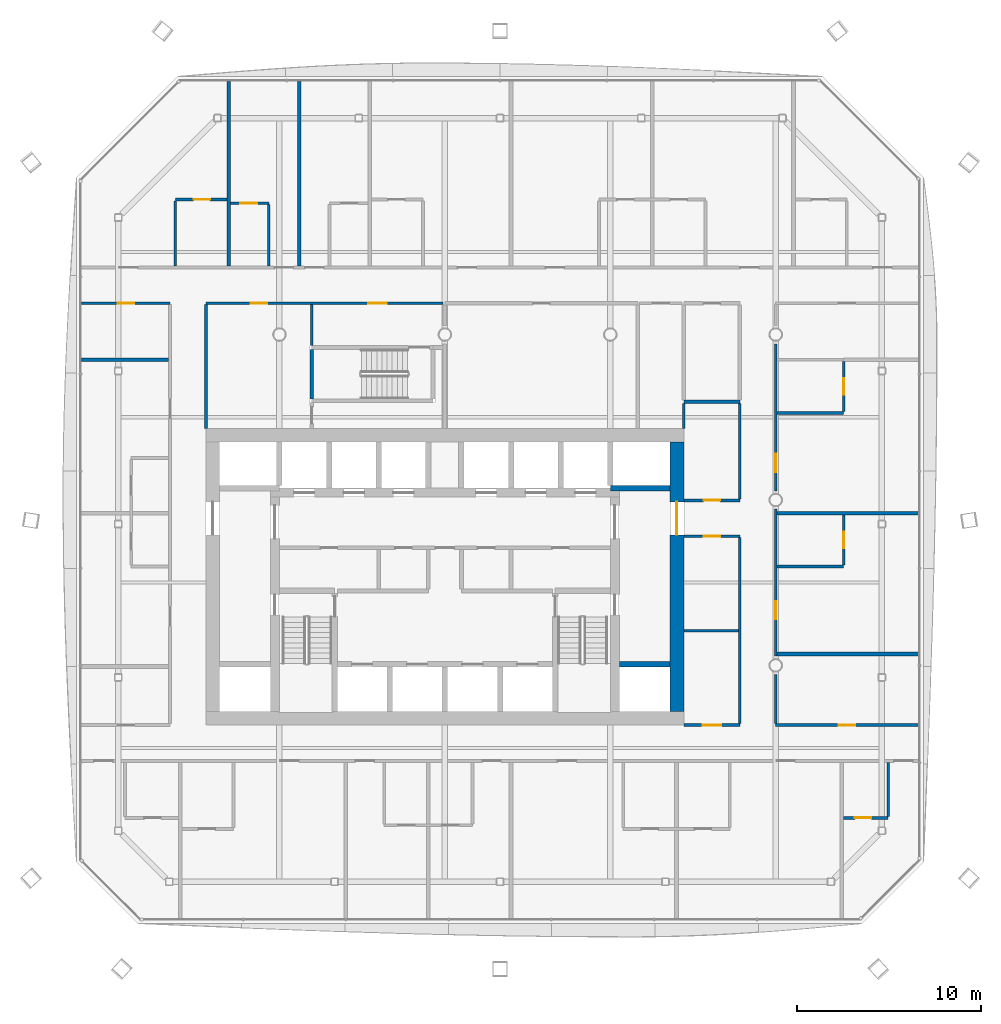
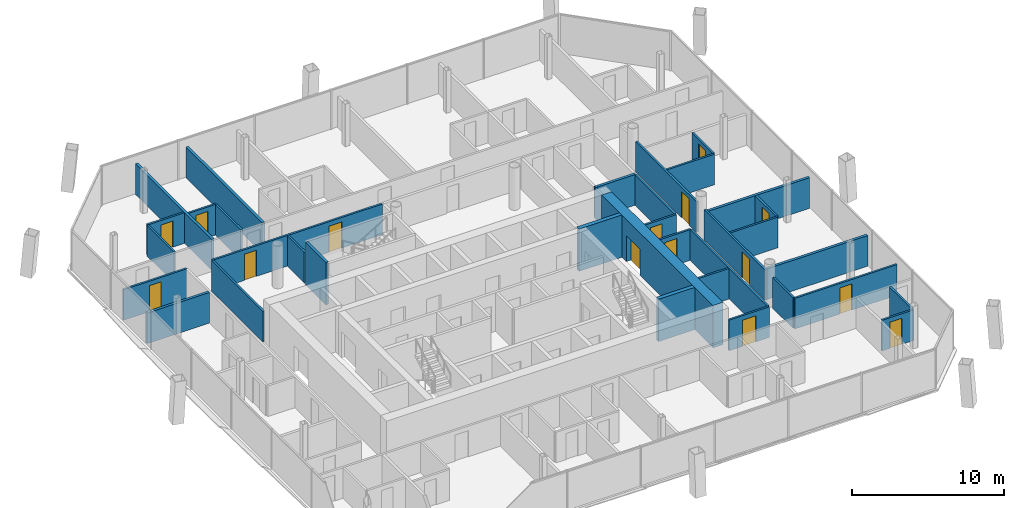
# One storey, part 14 of 21: 35 walls, 15 doors, 15 openings.
"""IFC4 building model written with IfcOpenShell, lengths in metres."""

from ifc_helpers import new_model, si_unit, direction, frame, frame_2d, origin, place, context, subcontext, project, spatial, rectangle, extrude, material, layer, layer_set, type_object, element, fill, save


model = new_model("IFC4")

# Units and contexts
model_context = context("Model", 3, precision=1e-05, world=origin(), true_north=direction((0.0, 1.0)))
body_context = subcontext(model_context, "Body", "Model", "MODEL_VIEW")
ifc_project = project(units=[si_unit("LENGTHUNIT", "METRE"), si_unit("AREAUNIT", "SQUARE_METRE"), si_unit("VOLUMEUNIT", "CUBIC_METRE"), si_unit("PLANEANGLEUNIT", "RADIAN"), si_unit("MASSUNIT", "GRAM", prefix="KILO")], contexts=[model_context])

# Site, building, storey
site_placement = place(None, origin())
site = spatial("IfcSite", under=ifc_project, at=site_placement, CompositionType="ELEMENT")
building_placement = place(site_placement, origin())
building = spatial("IfcBuilding", under=site, at=building_placement, Name="Tskaro Facet Tower", CompositionType="ELEMENT")
storey_placement = place(building_placement, frame((0.0, 0.0, 138.5)))
storey = spatial("IfcBuildingStorey", under=building, at=storey_placement, Name="L33", CompositionType="ELEMENT", Elevation=138.5)

# Walls
ifc_material_1 = material(Name="Concrete C60/75", Category="concrete")
ifc_layer_1 = layer(ifc_material_1, 0.300048828125, Name="Concrete C60/75")
ifc_layer_set_1 = layer_set([ifc_layer_1], Name="Concrete C60/75")
wall_type_1 = type_object("IfcWallType", Name="CORE-SHAFT", PredefinedType="SHEAR", material=ifc_layer_set_1)
wall_1_placement = place(storey_placement, frame((9.5, -8.949951171875, 0.0), z_axis=(0.0, 0.0, 1.0), x_axis=(1.0, 0.0, 0.0)))
element("IfcWall", 1, at=wall_1_placement, inside=storey, type_object=wall_type_1, Name="Shaft wall W013", PredefinedType="SHEAR", context=body_context, shape_type="SweptSolid", body=[
    extrude(rectangle(XDim=2.75, YDim=0.300048828125, at=frame_2d((1.375, 0.0))), origin(), (0.0, 0.0, 1.0), 3.39990234375),
])
wall_2_placement = place(storey_placement, frame((12.25, 0.64990234375, 0.0), z_axis=(0.0, 0.0, 1.0), x_axis=(-1.0, 0.0, 0.0)))
element("IfcWall", 2, at=wall_2_placement, inside=storey, type_object=wall_type_1, Name="Shaft wall W028", PredefinedType="SHEAR", context=body_context, shape_type="SweptSolid", body=[
    extrude(rectangle(XDim=3.25, YDim=0.300048828125, at=frame_2d((1.625, 0.0))), origin(), (0.0, 0.0, 1.0), 3.39990234375),
])

# Wall, opening, door
ifc_material_2 = material(Name="Concrete C50/60", Category="concrete")
ifc_layer_2 = layer(ifc_material_2, 0.75, Name="Concrete C50/60")
ifc_layer_set_2 = layer_set([ifc_layer_2], Name="Concrete C50/60")
wall_type_2 = type_object("IfcWallType", Name="Core wall 750", PredefinedType="SHEAR", material=ifc_layer_set_2)
wall_3_placement = place(storey_placement, frame((12.625, -11.5, 0.0), z_axis=(0.0, 0.0, 1.0), x_axis=(0.0, 1.0, 0.0)))
wall_3 = element("IfcWall", 3, at=wall_3_placement, inside=storey, type_object=wall_type_2, Name="Core wall CW-Z2E", PredefinedType="SHEAR", context=body_context, shape_type="SweptSolid", body=[
    extrude(rectangle(XDim=14.64990234375, YDim=0.75, at=frame_2d((7.324951171875, 0.0))), origin(), (0.0, 0.0, 1.0), 3.39990234375),
])
opening_1_placement = place(wall_3_placement, frame((9.60009765625, 0.0, 0.0)))
opening_1 = element("IfcOpeningElement", 4, at=opening_1_placement, cuts=wall_3, Name="Opening T9-D32", PredefinedType="OPENING", context=body_context, shape_type="SweptSolid", body=[
    extrude(rectangle(XDim=1.800048828125, YDim=2.10009765625, at=frame_2d((0.89990234375, 1.050048828125))), frame((0.0, 0.385009765625, 0.0), z_axis=(0.0, -1.0, 0.0), x_axis=(1.0, 0.0, 0.0)), (0.0, 0.0, 1.0), 0.77001953125),
])
ifc_material_3 = material(Name="Steel", Category="steel")
door_type_1 = type_object("IfcDoorType", Name="D-CORE-PAIR", OperationType="NOTDEFINED", PredefinedType="DOOR", material=ifc_material_3)
door_1_placement = place(opening_1_placement, origin())
door_1 = element("IfcDoor", 5, at=door_1_placement, inside=storey, type_object=door_type_1, Name="Door T9-D32", OperationType="DOUBLE_DOOR_SINGLE_SWING", OverallHeight=2.10009765625, OverallWidth=1.800048828125, PredefinedType="DOOR", context=body_context, shape_type="SweptSolid", body=[
    extrude(rectangle(XDim=1.800048828125, YDim=2.10009765625, at=frame_2d((0.89990234375, 1.050048828125))), frame((0.0, 0.02490234375, 0.0), z_axis=(0.0, -1.0, 0.0), x_axis=(1.0, 0.0, 0.0)), (0.0, 0.0, 1.0), 0.050048828125),
])
fill(opening_1, door_1)

ifc_material_4 = material(Name="Gypsum board on steel studs", Category="steel")
ifc_layer_3 = layer(ifc_material_4, 0.14990234375, Name="Gypsum board on steel studs")
ifc_layer_set_3 = layer_set([ifc_layer_3], Name="Gypsum board on steel studs")
wall_type_3 = type_object("IfcWallType", Name="PART-CORR", PredefinedType="PARTITIONING", material=ifc_layer_set_3)
wall_4_placement = place(storey_placement, frame((21.698974609375, -17.300048828125, 0.0), z_axis=(0.0, 0.0, 1.0), x_axis=(1.0, 0.0, 0.0)))
wall_4 = element("IfcWall", 6, at=wall_4_placement, inside=storey, type_object=wall_type_3, Name="Corridor wall W005", PredefinedType="PARTITIONING", context=body_context, shape_type="SweptSolid", body=[
    extrude(rectangle(XDim=2.419921875, YDim=0.14990234375, at=frame_2d((1.2099609375, 0.0))), origin(), (0.0, 0.0, 1.0), 2.4599609375),
])
opening_2_placement = place(wall_4_placement, frame((0.610107421875, 0.0, 0.0)))
opening_2 = element("IfcOpeningElement", 7, at=opening_2_placement, cuts=wall_4, Name="Opening T9-D07", PredefinedType="OPENING", context=body_context, shape_type="SweptSolid", body=[
    extrude(rectangle(XDim=0.89990234375, YDim=2.10009765625, at=frame_2d((0.449951171875, 1.050048828125))), frame((0.0, 0.0849609375, 0.0), z_axis=(0.0, -1.0, 0.0), x_axis=(1.0, 0.0, 0.0)), (0.0, 0.0, 1.0), 0.169921875),
])
ifc_material_5 = material(Name="Timber", Category="wood")
door_type_2 = type_object("IfcDoorType", Name="D-ROOM", OperationType="NOTDEFINED", PredefinedType="DOOR", material=ifc_material_5)
door_2_placement = place(opening_2_placement, origin())
door_2 = element("IfcDoor", 8, at=door_2_placement, inside=storey, type_object=door_type_2, Name="Door T9-D07", OperationType="SINGLE_SWING_LEFT", OverallHeight=2.10009765625, OverallWidth=0.89990234375, PredefinedType="DOOR", context=body_context, shape_type="SweptSolid", body=[
    extrude(rectangle(XDim=0.89990234375, YDim=2.10009765625, at=frame_2d((0.449951171875, 1.050048828125))), frame((0.0, 0.02490234375, 0.0), z_axis=(0.0, -1.0, 0.0), x_axis=(1.0, 0.0, 0.0)), (0.0, 0.0, 1.0), 0.050048828125),
])
fill(opening_2, door_2)

wall_5_placement = place(storey_placement, frame((13.0, -12.25, 0.0), z_axis=(0.0, 0.0, 1.0), x_axis=(1.0, 0.0, 0.0)))
wall_5 = element("IfcWall", 9, at=wall_5_placement, inside=storey, type_object=wall_type_3, Name="Corridor wall W008", PredefinedType="PARTITIONING", context=body_context, shape_type="SweptSolid", body=[
    extrude(rectangle(XDim=3.050048828125, YDim=0.14990234375, at=frame_2d((1.52490234375, 0.0))), origin(), (0.0, 0.0, 1.0), 2.4599609375),
])
opening_3_placement = place(wall_5_placement, frame((1.02490234375, 0.0, 0.0)))
opening_3 = element("IfcOpeningElement", 10, at=opening_3_placement, cuts=wall_5, Name="Opening T9-D16", PredefinedType="OPENING", context=body_context, shape_type="SweptSolid", body=[
    extrude(rectangle(XDim=1.0, YDim=2.10009765625, at=frame_2d((0.5, 1.050048828125))), frame((0.0, 0.0849609375, 0.0), z_axis=(0.0, -1.0, 0.0), x_axis=(1.0, 0.0, 0.0)), (0.0, 0.0, 1.0), 0.169921875),
])
door_type_3 = type_object("IfcDoorType", Name="D-ROOM-WIDE", OperationType="NOTDEFINED", PredefinedType="DOOR", material=ifc_material_5)
door_3_placement = place(opening_3_placement, origin())
door_3 = element("IfcDoor", 11, at=door_3_placement, inside=storey, type_object=door_type_3, Name="Door T9-D16", OperationType="SINGLE_SWING_LEFT", OverallHeight=2.10009765625, OverallWidth=1.0, PredefinedType="DOOR", context=body_context, shape_type="SweptSolid", body=[
    extrude(rectangle(XDim=1.0, YDim=2.10009765625, at=frame_2d((0.5, 1.050048828125))), frame((0.0, 0.02490234375, 0.0), z_axis=(0.0, -1.0, 0.0), x_axis=(1.0, 0.0, 0.0)), (0.0, 0.0, 1.0), 0.050048828125),
])
fill(opening_3, door_3)

wall_6_placement = place(storey_placement, frame((18.0, -12.25, 0.0), z_axis=(0.0, 0.0, 1.0), x_axis=(1.0, 0.0, 0.0)))
wall_6 = element("IfcWall", 12, at=wall_6_placement, inside=storey, type_object=wall_type_3, Name="Corridor wall W009", PredefinedType="PARTITIONING", context=body_context, shape_type="SweptSolid", body=[
    extrude(rectangle(XDim=7.77001953125, YDim=0.14990234375, at=frame_2d((3.885009765625, 0.0))), origin(), (0.0, 0.0, 1.0), 2.4599609375),
])
opening_4_placement = place(wall_6_placement, frame((3.43505859375, 0.0, 0.0)))
opening_4 = element("IfcOpeningElement", 13, at=opening_4_placement, cuts=wall_6, Name="Opening T9-D17", PredefinedType="OPENING", context=body_context, shape_type="SweptSolid", body=[
    extrude(rectangle(XDim=0.89990234375, YDim=2.10009765625, at=frame_2d((0.449951171875, 1.050048828125))), frame((0.0, 0.0849609375, 0.0), z_axis=(0.0, -1.0, 0.0), x_axis=(1.0, 0.0, 0.0)), (0.0, 0.0, 1.0), 0.169921875),
])
door_4_placement = place(opening_4_placement, origin())
door_4 = element("IfcDoor", 14, at=door_4_placement, inside=storey, type_object=door_type_2, Name="Door T9-D17", OperationType="SINGLE_SWING_LEFT", OverallHeight=2.10009765625, OverallWidth=0.89990234375, PredefinedType="DOOR", context=body_context, shape_type="SweptSolid", body=[
    extrude(rectangle(XDim=0.89990234375, YDim=2.10009765625, at=frame_2d((0.449951171875, 1.050048828125))), frame((0.0, 0.02490234375, 0.0), z_axis=(0.0, -1.0, 0.0), x_axis=(1.0, 0.0, 0.0)), (0.0, 0.0, 1.0), 0.050048828125),
])
fill(opening_4, door_4)

# Walls
wall_7_placement = place(storey_placement, frame((13.0, -7.112060546875, 0.0), z_axis=(0.0, 0.0, 1.0), x_axis=(1.0, 0.0, 0.0)))
element("IfcWall", 15, at=wall_7_placement, inside=storey, type_object=wall_type_3, Name="Corridor wall W015", PredefinedType="PARTITIONING", context=body_context, shape_type="SweptSolid", body=[
    extrude(rectangle(XDim=2.97509765625, YDim=0.14990234375, at=frame_2d((1.487548828125, 0.0))), origin(), (0.0, 0.0, 1.0), 2.4599609375),
])
wall_8_placement = place(storey_placement, frame((18.074951171875, -3.615966796875, 0.0), z_axis=(0.0, 0.0, 1.0), x_axis=(1.0, 0.0, 0.0)))
element("IfcWall", 16, at=wall_8_placement, inside=storey, type_object=wall_type_3, Name="Corridor wall W020", PredefinedType="PARTITIONING", context=body_context, shape_type="SweptSolid", body=[
    extrude(rectangle(XDim=3.625, YDim=0.14990234375, at=frame_2d((1.8125, 0.0))), origin(), (0.0, 0.0, 1.0), 2.4599609375),
])

# Wall, opening, door
wall_9_placement = place(storey_placement, frame((16.050048828125, -1.97509765625, 0.0), z_axis=(0.0, 0.0, 1.0), x_axis=(-1.0, 0.0, 0.0)))
wall_9 = element("IfcWall", 17, at=wall_9_placement, inside=storey, type_object=wall_type_3, Name="Corridor wall W023", PredefinedType="PARTITIONING", context=body_context, shape_type="SweptSolid", body=[
    extrude(rectangle(XDim=3.050048828125, YDim=0.14990234375, at=frame_2d((1.52490234375, 0.0))), origin(), (0.0, 0.0, 1.0), 2.4599609375),
])
opening_5_placement = place(wall_9_placement, frame((1.074951171875, 0.0, 0.0)))
opening_5 = element("IfcOpeningElement", 18, at=opening_5_placement, cuts=wall_9, Name="Opening T9-D28", PredefinedType="OPENING", context=body_context, shape_type="SweptSolid", body=[
    extrude(rectangle(XDim=0.89990234375, YDim=2.10009765625, at=frame_2d((0.449951171875, 1.050048828125))), frame((0.0, 0.0849609375, 0.0), z_axis=(0.0, -1.0, 0.0), x_axis=(1.0, 0.0, 0.0)), (0.0, 0.0, 1.0), 0.169921875),
])
door_5_placement = place(opening_5_placement, origin())
door_5 = element("IfcDoor", 19, at=door_5_placement, inside=storey, type_object=door_type_2, Name="Door T9-D28", OperationType="SINGLE_SWING_RIGHT", OverallHeight=2.10009765625, OverallWidth=0.89990234375, PredefinedType="DOOR", context=body_context, shape_type="SweptSolid", body=[
    extrude(rectangle(XDim=0.89990234375, YDim=2.10009765625, at=frame_2d((0.449951171875, 1.050048828125))), frame((0.0, 0.02490234375, 0.0), z_axis=(0.0, -1.0, 0.0), x_axis=(1.0, 0.0, 0.0)), (0.0, 0.0, 1.0), 0.050048828125),
])
fill(opening_5, door_5)

wall_10_placement = place(storey_placement, frame((13.0, -0.02490234375, 0.0), z_axis=(0.0, 0.0, 1.0), x_axis=(1.0, 0.0, 0.0)))
wall_10 = element("IfcWall", 20, at=wall_10_placement, inside=storey, type_object=wall_type_3, Name="Corridor wall W026", PredefinedType="PARTITIONING", context=body_context, shape_type="SweptSolid", body=[
    extrude(rectangle(XDim=3.050048828125, YDim=0.14990234375, at=frame_2d((1.52490234375, 0.0))), origin(), (0.0, 0.0, 1.0), 2.4599609375),
])
opening_6_placement = place(wall_10_placement, frame((1.074951171875, 0.0, 0.0)))
opening_6 = element("IfcOpeningElement", 21, at=opening_6_placement, cuts=wall_10, Name="Opening T9-D33", PredefinedType="OPENING", context=body_context, shape_type="SweptSolid", body=[
    extrude(rectangle(XDim=0.89990234375, YDim=2.10009765625, at=frame_2d((0.449951171875, 1.050048828125))), frame((0.0, 0.0849609375, 0.0), z_axis=(0.0, -1.0, 0.0), x_axis=(1.0, 0.0, 0.0)), (0.0, 0.0, 1.0), 0.169921875),
])
door_6_placement = place(opening_6_placement, origin())
door_6 = element("IfcDoor", 22, at=door_6_placement, inside=storey, type_object=door_type_2, Name="Door T9-D33", OperationType="SINGLE_SWING_LEFT", OverallHeight=2.10009765625, OverallWidth=0.89990234375, PredefinedType="DOOR", context=body_context, shape_type="SweptSolid", body=[
    extrude(rectangle(XDim=0.89990234375, YDim=2.10009765625, at=frame_2d((0.449951171875, 1.050048828125))), frame((0.0, 0.02490234375, 0.0), z_axis=(0.0, -1.0, 0.0), x_axis=(1.0, 0.0, 0.0)), (0.0, 0.0, 1.0), 0.050048828125),
])
fill(opening_6, door_6)

# Wall
wall_11_placement = place(storey_placement, frame((18.074951171875, 4.72607421875, 0.0), z_axis=(0.0, 0.0, 1.0), x_axis=(1.0, 0.0, 0.0)))
element("IfcWall", 23, at=wall_11_placement, inside=storey, type_object=wall_type_3, Name="Corridor wall W030", PredefinedType="PARTITIONING", context=body_context, shape_type="SweptSolid", body=[
    extrude(rectangle(XDim=3.625, YDim=0.14990234375, at=frame_2d((1.8125, 0.0))), origin(), (0.0, 0.0, 1.0), 2.4599609375),
])

# Wall, opening, door
wall_12_placement = place(storey_placement, frame((-14.949951171875, 10.699951171875, 0.0), z_axis=(0.0, 0.0, 1.0), x_axis=(-1.0, 0.0, 0.0)))
wall_12 = element("IfcWall", 24, at=wall_12_placement, inside=storey, type_object=wall_type_3, Name="Corridor wall W038", PredefinedType="PARTITIONING", context=body_context, shape_type="SweptSolid", body=[
    extrude(rectangle(XDim=4.820068359375, YDim=0.14990234375, at=frame_2d((2.41015625, 0.0))), origin(), (0.0, 0.0, 1.0), 2.4599609375),
])
opening_7_placement = place(wall_12_placement, frame((1.9599609375, 0.0, 0.0)))
opening_7 = element("IfcOpeningElement", 25, at=opening_7_placement, cuts=wall_12, Name="Opening T9-D41", PredefinedType="OPENING", context=body_context, shape_type="SweptSolid", body=[
    extrude(rectangle(XDim=0.89990234375, YDim=2.10009765625, at=frame_2d((0.449951171875, 1.050048828125))), frame((0.0, 0.0849609375, 0.0), z_axis=(0.0, -1.0, 0.0), x_axis=(1.0, 0.0, 0.0)), (0.0, 0.0, 1.0), 0.169921875),
])
door_7_placement = place(opening_7_placement, origin())
door_7 = element("IfcDoor", 26, at=door_7_placement, inside=storey, type_object=door_type_2, Name="Door T9-D41", OperationType="SINGLE_SWING_RIGHT", OverallHeight=2.10009765625, OverallWidth=0.89990234375, PredefinedType="DOOR", context=body_context, shape_type="SweptSolid", body=[
    extrude(rectangle(XDim=0.89990234375, YDim=2.10009765625, at=frame_2d((0.449951171875, 1.050048828125))), frame((0.0, 0.02490234375, 0.0), z_axis=(0.0, -1.0, 0.0), x_axis=(1.0, 0.0, 0.0)), (0.0, 0.0, 1.0), 0.050048828125),
])
fill(opening_7, door_7)

# Wall, openings, doors
wall_13_placement = place(storey_placement, frame((-0.10009765625, 10.699951171875, 0.0), z_axis=(0.0, 0.0, 1.0), x_axis=(-1.0, 0.0, 0.0)))
wall_13 = element("IfcWall", 27, at=wall_13_placement, inside=storey, type_object=wall_type_3, Name="Corridor wall W039", PredefinedType="PARTITIONING", context=body_context, shape_type="SweptSolid", body=[
    extrude(rectangle(XDim=12.89990234375, YDim=0.14990234375, at=frame_2d((6.449951171875, 0.0))), origin(), (0.0, 0.0, 1.0), 2.4599609375),
])
opening_8_placement = place(wall_13_placement, frame((3.074951171875, 0.0, 0.0)))
opening_8 = element("IfcOpeningElement", 28, at=opening_8_placement, cuts=wall_13, Name="Opening T9-D43", PredefinedType="OPENING", context=body_context, shape_type="SweptSolid", body=[
    extrude(rectangle(XDim=1.0, YDim=2.10009765625, at=frame_2d((0.5, 1.050048828125))), frame((0.0, 0.0849609375, 0.0), z_axis=(0.0, -1.0, 0.0), x_axis=(1.0, 0.0, 0.0)), (0.0, 0.0, 1.0), 0.169921875),
])
opening_9_placement = place(wall_13_placement, frame((9.574951171875, 0.0, 0.0)))
opening_9 = element("IfcOpeningElement", 29, at=opening_9_placement, cuts=wall_13, Name="Opening T9-D42", PredefinedType="OPENING", context=body_context, shape_type="SweptSolid", body=[
    extrude(rectangle(XDim=0.89990234375, YDim=2.10009765625, at=frame_2d((0.449951171875, 1.050048828125))), frame((0.0, 0.0849609375, 0.0), z_axis=(0.0, -1.0, 0.0), x_axis=(1.0, 0.0, 0.0)), (0.0, 0.0, 1.0), 0.169921875),
])
door_type_4 = type_object("IfcDoorType", Name="D-LOBBY", OperationType="NOTDEFINED", PredefinedType="DOOR", material=ifc_material_3)
door_8_placement = place(opening_8_placement, origin())
door_8 = element("IfcDoor", 30, at=door_8_placement, inside=storey, type_object=door_type_4, Name="Stair lobby door", OperationType="SINGLE_SWING_RIGHT", OverallHeight=2.10009765625, OverallWidth=1.0, PredefinedType="DOOR", context=body_context, shape_type="SweptSolid", body=[
    extrude(rectangle(XDim=1.0, YDim=2.10009765625, at=frame_2d((0.5, 1.050048828125))), frame((0.0, 0.02490234375, 0.0), z_axis=(0.0, -1.0, 0.0), x_axis=(1.0, 0.0, 0.0)), (0.0, 0.0, 1.0), 0.050048828125),
])
fill(opening_8, door_8)
door_9_placement = place(opening_9_placement, origin())
door_9 = element("IfcDoor", 31, at=door_9_placement, inside=storey, type_object=door_type_2, Name="Door T9-D42", OperationType="SINGLE_SWING_RIGHT", OverallHeight=2.10009765625, OverallWidth=0.89990234375, PredefinedType="DOOR", context=body_context, shape_type="SweptSolid", body=[
    extrude(rectangle(XDim=0.89990234375, YDim=2.10009765625, at=frame_2d((0.449951171875, 1.050048828125))), frame((0.0, 0.02490234375, 0.0), z_axis=(0.0, -1.0, 0.0), x_axis=(1.0, 0.0, 0.0)), (0.0, 0.0, 1.0), 0.050048828125),
])
fill(opening_9, door_9)

# Wall, opening, door
wall_14_placement = place(storey_placement, frame((-9.577880859375, 16.14990234375, 0.0), z_axis=(0.0, 0.0, 1.0), x_axis=(-1.0, 0.0, 0.0)))
wall_14 = element("IfcWall", 32, at=wall_14_placement, inside=storey, type_object=wall_type_3, Name="Corridor wall W045", PredefinedType="PARTITIONING", context=body_context, shape_type="SweptSolid", body=[
    extrude(rectangle(XDim=2.090087890625, YDim=0.14990234375, at=frame_2d((1.044921875, 0.0))), origin(), (0.0, 0.0, 1.0), 2.4599609375),
])
opening_10_placement = place(wall_14_placement, frame((0.64501953125, 0.0, 0.0)))
opening_10 = element("IfcOpeningElement", 33, at=opening_10_placement, cuts=wall_14, Name="Opening T9-D55", PredefinedType="OPENING", context=body_context, shape_type="SweptSolid", body=[
    extrude(rectangle(XDim=0.89990234375, YDim=2.10009765625, at=frame_2d((0.449951171875, 1.050048828125))), frame((0.0, 0.0849609375, 0.0), z_axis=(0.0, -1.0, 0.0), x_axis=(1.0, 0.0, 0.0)), (0.0, 0.0, 1.0), 0.169921875),
])
door_10_placement = place(opening_10_placement, origin())
door_10 = element("IfcDoor", 34, at=door_10_placement, inside=storey, type_object=door_type_2, Name="Door T9-D55", OperationType="SINGLE_SWING_RIGHT", OverallHeight=2.10009765625, OverallWidth=0.89990234375, PredefinedType="DOOR", context=body_context, shape_type="SweptSolid", body=[
    extrude(rectangle(XDim=0.89990234375, YDim=2.10009765625, at=frame_2d((0.449951171875, 1.050048828125))), frame((0.0, 0.02490234375, 0.0), z_axis=(0.0, -1.0, 0.0), x_axis=(1.0, 0.0, 0.0)), (0.0, 0.0, 1.0), 0.050048828125),
])
fill(opening_10, door_10)

wall_15_placement = place(storey_placement, frame((-11.867919921875, 16.35009765625, 0.0), z_axis=(0.0, 0.0, 1.0), x_axis=(-1.0, 0.0, 0.0)))
wall_15 = element("IfcWall", 35, at=wall_15_placement, inside=storey, type_object=wall_type_3, Name="Corridor wall W047", PredefinedType="PARTITIONING", context=body_context, shape_type="SweptSolid", body=[
    extrude(rectangle(XDim=2.800048828125, YDim=0.14990234375, at=frame_2d((1.39990234375, 0.0))), origin(), (0.0, 0.0, 1.0), 2.4599609375),
])
opening_11_placement = place(wall_15_placement, frame((0.89990234375, 0.0, 0.0)))
opening_11 = element("IfcOpeningElement", 36, at=opening_11_placement, cuts=wall_15, Name="Opening T9-D57", PredefinedType="OPENING", context=body_context, shape_type="SweptSolid", body=[
    extrude(rectangle(XDim=0.89990234375, YDim=2.10009765625, at=frame_2d((0.449951171875, 1.050048828125))), frame((0.0, 0.0849609375, 0.0), z_axis=(0.0, -1.0, 0.0), x_axis=(1.0, 0.0, 0.0)), (0.0, 0.0, 1.0), 0.169921875),
])
door_11_placement = place(opening_11_placement, origin())
door_11 = element("IfcDoor", 37, at=door_11_placement, inside=storey, type_object=door_type_2, Name="Door T9-D57", OperationType="SINGLE_SWING_RIGHT", OverallHeight=2.10009765625, OverallWidth=0.89990234375, PredefinedType="DOOR", context=body_context, shape_type="SweptSolid", body=[
    extrude(rectangle(XDim=0.89990234375, YDim=2.10009765625, at=frame_2d((0.449951171875, 1.050048828125))), frame((0.0, 0.02490234375, 0.0), z_axis=(0.0, -1.0, 0.0), x_axis=(1.0, 0.0, 0.0)), (0.0, 0.0, 1.0), 0.050048828125),
])
fill(opening_11, door_11)

# Walls
wall_16_placement = place(storey_placement, frame((-14.66796875, 12.72509765625, 0.0), z_axis=(0.0, 0.0, 1.0), x_axis=(0.0, 1.0, 0.0)))
element("IfcWall", 38, at=wall_16_placement, inside=storey, type_object=wall_type_3, Name="Corridor wall W054", PredefinedType="PARTITIONING", context=body_context, shape_type="SweptSolid", body=[
    extrude(rectangle(XDim=3.5498046875, YDim=0.14990234375, at=frame_2d((1.77490234375, 0.0))), origin(), (0.0, 0.0, 1.0), 2.4599609375),
])
wall_17_placement = place(storey_placement, frame((-13.0, 3.89990234375, 0.0), z_axis=(0.0, 0.0, 1.0), x_axis=(0.0, 1.0, 0.0)))
element("IfcWall", 39, at=wall_17_placement, inside=storey, type_object=wall_type_3, Name="Corridor wall W056", PredefinedType="PARTITIONING", context=body_context, shape_type="SweptSolid", body=[
    extrude(rectangle(XDim=6.72509765625, YDim=0.14990234375, at=frame_2d((3.362548828125, 0.0))), origin(), (0.0, 0.0, 1.0), 2.4599609375),
])
wall_18_placement = place(storey_placement, frame((-9.577880859375, 12.72509765625, 0.0), z_axis=(0.0, 0.0, 1.0), x_axis=(0.0, 1.0, 0.0)))
element("IfcWall", 40, at=wall_18_placement, inside=storey, type_object=wall_type_3, Name="Corridor wall W059", PredefinedType="PARTITIONING", context=body_context, shape_type="SweptSolid", body=[
    extrude(rectangle(XDim=3.349853515625, YDim=0.14990234375, at=frame_2d((1.6748046875, 0.0))), origin(), (0.0, 0.0, 1.0), 2.4599609375),
])
wall_19_placement = place(storey_placement, frame((-7.25, 8.39990234375, 0.0), z_axis=(0.0, 0.0, 1.0), x_axis=(0.0, 1.0, 0.0)))
element("IfcWall", 41, at=wall_19_placement, inside=storey, type_object=wall_type_3, Name="Corridor wall W064", PredefinedType="PARTITIONING", context=body_context, shape_type="SweptSolid", body=[
    extrude(rectangle(XDim=2.22509765625, YDim=0.14990234375, at=frame_2d((1.112548828125, 0.0))), origin(), (0.0, 0.0, 1.0), 2.4599609375),
])
wall_20_placement = place(storey_placement, frame((13.0, 3.89990234375, 0.0), z_axis=(0.0, 0.0, 1.0), x_axis=(0.0, 1.0, 0.0)))
element("IfcWall", 42, at=wall_20_placement, inside=storey, type_object=wall_type_3, Name="Corridor wall W098", PredefinedType="PARTITIONING", context=body_context, shape_type="SweptSolid", body=[
    extrude(rectangle(XDim=1.337158203125, YDim=0.14990234375, at=frame_2d((0.66845703125, 0.0))), origin(), (0.0, 0.0, 1.0), 2.4599609375),
])
wall_21_placement = place(storey_placement, frame((16.050048828125, -12.175048828125, 0.0), z_axis=(0.0, 0.0, 1.0), x_axis=(0.0, 1.0, 0.0)))
element("IfcWall", 43, at=wall_21_placement, inside=storey, type_object=wall_type_3, Name="Corridor wall W102", PredefinedType="PARTITIONING", context=body_context, shape_type="SweptSolid", body=[
    extrude(rectangle(XDim=10.125, YDim=0.14990234375, at=frame_2d((5.0625, 0.0))), origin(), (0.0, 0.0, 1.0), 2.4599609375),
])
wall_22_placement = place(storey_placement, frame((16.050048828125, 0.050048828125, 0.0), z_axis=(0.0, 0.0, 1.0), x_axis=(0.0, 1.0, 0.0)))
element("IfcWall", 44, at=wall_22_placement, inside=storey, type_object=wall_type_3, Name="Corridor wall W103", PredefinedType="PARTITIONING", context=body_context, shape_type="SweptSolid", body=[
    extrude(rectangle(XDim=5.18701171875, YDim=0.14990234375, at=frame_2d((2.593505859375, 0.0))), origin(), (0.0, 0.0, 1.0), 2.4599609375),
])
wall_23_placement = place(storey_placement, frame((18.0, -12.175048828125, 0.0), z_axis=(0.0, 0.0, 1.0), x_axis=(0.0, 1.0, 0.0)))
element("IfcWall", 45, at=wall_23_placement, inside=storey, type_object=wall_type_3, Name="Corridor wall W105", PredefinedType="PARTITIONING", context=body_context, shape_type="SweptSolid", body=[
    extrude(rectangle(XDim=2.675048828125, YDim=0.14990234375, at=frame_2d((1.33740234375, 0.0))), origin(), (0.0, 0.0, 1.0), 2.4599609375),
])

# Wall, opening, door
wall_24_placement = place(storey_placement, frame((18.0, -0.5, 0.0), z_axis=(0.0, 0.0, 1.0), x_axis=(0.0, -1.0, 0.0)))
wall_24 = element("IfcWall", 46, at=wall_24_placement, inside=storey, type_object=wall_type_3, Name="Corridor wall W106", PredefinedType="PARTITIONING", context=body_context, shape_type="SweptSolid", body=[
    extrude(rectangle(XDim=8.0, YDim=0.14990234375, at=frame_2d((4.0, 0.0))), origin(), (0.0, 0.0, 1.0), 2.4599609375),
])
opening_12_placement = place(wall_24_placement, frame((4.998046875, 0.0, 0.0)))
opening_12 = element("IfcOpeningElement", 47, at=opening_12_placement, cuts=wall_24, Name="Opening T9-D21", PredefinedType="OPENING", context=body_context, shape_type="SweptSolid", body=[
    extrude(rectangle(XDim=1.0, YDim=2.10009765625, at=frame_2d((0.5, 1.050048828125))), frame((0.0, 0.0849609375, 0.0), z_axis=(0.0, -1.0, 0.0), x_axis=(1.0, 0.0, 0.0)), (0.0, 0.0, 1.0), 0.169921875),
])
door_type_5 = type_object("IfcDoorType", Name="D-ENTRY", OperationType="NOTDEFINED", PredefinedType="DOOR", material=ifc_material_5)
door_12_placement = place(opening_12_placement, origin())
door_12 = element("IfcDoor", 48, at=door_12_placement, inside=storey, type_object=door_type_5, Name="Door T9-D21", OperationType="SINGLE_SWING_LEFT", OverallHeight=2.10009765625, OverallWidth=1.0, PredefinedType="DOOR", context=body_context, shape_type="SweptSolid", body=[
    extrude(rectangle(XDim=1.0, YDim=2.10009765625, at=frame_2d((0.5, 1.050048828125))), frame((0.0, 0.02490234375, 0.0), z_axis=(0.0, -1.0, 0.0), x_axis=(1.0, 0.0, 0.0)), (0.0, 0.0, 1.0), 0.050048828125),
])
fill(opening_12, door_12)

wall_25_placement = place(storey_placement, frame((18.0, 8.5, 0.0), z_axis=(0.0, 0.0, 1.0), x_axis=(0.0, -1.0, 0.0)))
wall_25 = element("IfcWall", 49, at=wall_25_placement, inside=storey, type_object=wall_type_3, Name="Corridor wall W107", PredefinedType="PARTITIONING", context=body_context, shape_type="SweptSolid", body=[
    extrude(rectangle(XDim=8.0, YDim=0.14990234375, at=frame_2d((4.0, 0.0))), origin(), (0.0, 0.0, 1.0), 2.4599609375),
])
opening_13_placement = place(wall_25_placement, frame((5.9951171875, 0.0, 0.0)))
opening_13 = element("IfcOpeningElement", 50, at=opening_13_placement, cuts=wall_25, Name="Opening T9-D37", PredefinedType="OPENING", context=body_context, shape_type="SweptSolid", body=[
    extrude(rectangle(XDim=1.0, YDim=2.10009765625, at=frame_2d((0.5, 1.050048828125))), frame((0.0, 0.0849609375, 0.0), z_axis=(0.0, -1.0, 0.0), x_axis=(1.0, 0.0, 0.0)), (0.0, 0.0, 1.0), 0.169921875),
])
door_13_placement = place(opening_13_placement, origin())
door_13 = element("IfcDoor", 51, at=door_13_placement, inside=storey, type_object=door_type_5, Name="Door T9-D37", OperationType="SINGLE_SWING_LEFT", OverallHeight=2.10009765625, OverallWidth=1.0, PredefinedType="DOOR", context=body_context, shape_type="SweptSolid", body=[
    extrude(rectangle(XDim=1.0, YDim=2.10009765625, at=frame_2d((0.5, 1.050048828125))), frame((0.0, 0.02490234375, 0.0), z_axis=(0.0, -1.0, 0.0), x_axis=(1.0, 0.0, 0.0)), (0.0, 0.0, 1.0), 0.050048828125),
])
fill(opening_13, door_13)

wall_26_placement = place(storey_placement, frame((21.699951171875, -3.541015625, 0.0), z_axis=(0.0, 0.0, 1.0), x_axis=(0.0, 1.0, 0.0)))
wall_26 = element("IfcWall", 52, at=wall_26_placement, inside=storey, type_object=wall_type_3, Name="Corridor wall W111", PredefinedType="PARTITIONING", context=body_context, shape_type="SweptSolid", body=[
    extrude(rectangle(XDim=2.72509765625, YDim=0.14990234375, at=frame_2d((1.362548828125, 0.0))), origin(), (0.0, 0.0, 1.0), 2.4599609375),
])
opening_14_placement = place(wall_26_placement, frame((0.925048828125, 0.0, 0.0)))
opening_14 = element("IfcOpeningElement", 53, at=opening_14_placement, cuts=wall_26, Name="Opening T9-D27", PredefinedType="OPENING", context=body_context, shape_type="SweptSolid", body=[
    extrude(rectangle(XDim=0.89990234375, YDim=2.10009765625, at=frame_2d((0.449951171875, 1.050048828125))), frame((0.0, 0.0849609375, 0.0), z_axis=(0.0, -1.0, 0.0), x_axis=(1.0, 0.0, 0.0)), (0.0, 0.0, 1.0), 0.169921875),
])
door_14_placement = place(opening_14_placement, origin())
door_14 = element("IfcDoor", 54, at=door_14_placement, inside=storey, type_object=door_type_2, Name="Door T9-D27", OperationType="SINGLE_SWING_LEFT", OverallHeight=2.10009765625, OverallWidth=0.89990234375, PredefinedType="DOOR", context=body_context, shape_type="SweptSolid", body=[
    extrude(rectangle(XDim=0.89990234375, YDim=2.10009765625, at=frame_2d((0.449951171875, 1.050048828125))), frame((0.0, 0.02490234375, 0.0), z_axis=(0.0, -1.0, 0.0), x_axis=(1.0, 0.0, 0.0)), (0.0, 0.0, 1.0), 0.050048828125),
])
fill(opening_14, door_14)

wall_27_placement = place(storey_placement, frame((21.699951171875, 4.801025390625, 0.0), z_axis=(0.0, 0.0, 1.0), x_axis=(0.0, 1.0, 0.0)))
wall_27 = element("IfcWall", 55, at=wall_27_placement, inside=storey, type_object=wall_type_3, Name="Corridor wall W112", PredefinedType="PARTITIONING", context=body_context, shape_type="SweptSolid", body=[
    extrude(rectangle(XDim=2.724853515625, YDim=0.14990234375, at=frame_2d((1.3623046875, 0.0))), origin(), (0.0, 0.0, 1.0), 2.4599609375),
])
opening_15_placement = place(wall_27_placement, frame((0.925048828125, 0.0, 0.0)))
opening_15 = element("IfcOpeningElement", 56, at=opening_15_placement, cuts=wall_27, Name="Opening T9-D40", PredefinedType="OPENING", context=body_context, shape_type="SweptSolid", body=[
    extrude(rectangle(XDim=0.89990234375, YDim=2.10009765625, at=frame_2d((0.449951171875, 1.050048828125))), frame((0.0, 0.0849609375, 0.0), z_axis=(0.0, -1.0, 0.0), x_axis=(1.0, 0.0, 0.0)), (0.0, 0.0, 1.0), 0.169921875),
])
door_15_placement = place(opening_15_placement, origin())
door_15 = element("IfcDoor", 57, at=door_15_placement, inside=storey, type_object=door_type_2, Name="Door T9-D40", OperationType="SINGLE_SWING_LEFT", OverallHeight=2.10009765625, OverallWidth=0.89990234375, PredefinedType="DOOR", context=body_context, shape_type="SweptSolid", body=[
    extrude(rectangle(XDim=0.89990234375, YDim=2.10009765625, at=frame_2d((0.449951171875, 1.050048828125))), frame((0.0, 0.02490234375, 0.0), z_axis=(0.0, -1.0, 0.0), x_axis=(1.0, 0.0, 0.0)), (0.0, 0.0, 1.0), 0.050048828125),
])
fill(opening_15, door_15)

# Walls
wall_28_placement = place(storey_placement, frame((24.118896484375, -17.22509765625, 0.0), z_axis=(0.0, 0.0, 1.0), x_axis=(0.0, 1.0, 0.0)))
element("IfcWall", 58, at=wall_28_placement, inside=storey, type_object=wall_type_3, Name="Corridor wall W114", PredefinedType="PARTITIONING", context=body_context, shape_type="SweptSolid", body=[
    extrude(rectangle(XDim=2.9501953125, YDim=0.14990234375, at=frame_2d((1.47509765625, 0.0))), origin(), (0.0, 0.0, 1.0), 2.4599609375),
])
ifc_layer_4 = layer(ifc_material_4, 0.199951171875, Name="Gypsum board on steel studs")
ifc_layer_set_4 = layer_set([ifc_layer_4], Name="Gypsum board on steel studs")
wall_type_4 = type_object("IfcWallType", Name="PART-DEMISING", PredefinedType="PARTITIONING", material=ifc_layer_set_4)
for number, where, z_axis, x_axis, name in (
    (59, (18.074951171875, -8.3798828125, 0.0), (0.0, 0.0, 1.0), (1.0, 0.0, 0.0), "Guest room wall W014"),
    (60, (18.074951171875, -0.716064453125, 0.0), (0.0, 0.0, 1.0), (1.0, 0.0, 0.0), "Guest room wall W024"),
):
    element("IfcWall", number, at=place(storey_placement, frame(where, z_axis=z_axis, x_axis=x_axis)), inside=storey, type_object=wall_type_4, Name=name, PredefinedType="PARTITIONING", context=body_context, shape_type="SweptSolid", body=[
        extrude(rectangle(XDim=7.695068359375, YDim=0.199951171875, at=frame_2d((3.84765625, 0.0))), origin(), (0.0, 0.0, 1.0), 2.4599609375),
    ])
wall_29_placement = place(storey_placement, frame((-19.77001953125, 7.6259765625, 0.0), z_axis=(0.0, 0.0, 1.0), x_axis=(1.0, 0.0, 0.0)))
element("IfcWall", 61, at=wall_29_placement, inside=storey, type_object=wall_type_4, Name="Guest room wall W033", PredefinedType="PARTITIONING", context=body_context, shape_type="SweptSolid", body=[
    extrude(rectangle(XDim=4.7451171875, YDim=0.199951171875, at=frame_2d((2.37255859375, 0.0))), origin(), (0.0, 0.0, 1.0), 2.4599609375),
])
for number, where, z_axis, x_axis, name in (
    (62, (-11.76806640625, 12.72509765625, 0.0), (0.0, 0.0, 1.0), (0.0, 1.0, 0.0), "Guest room wall W057"),
    (63, (-7.926025390625, 12.72509765625, 0.0), (0.0, 0.0, 1.0), (0.0, 1.0, 0.0), "Guest room wall W061"),
):
    element("IfcWall", number, at=place(storey_placement, frame(where, z_axis=z_axis, x_axis=x_axis)), inside=storey, type_object=wall_type_4, Name=name, PredefinedType="PARTITIONING", context=body_context, shape_type="SweptSolid", body=[
        extrude(rectangle(XDim=10.044921875, YDim=0.199951171875, at=frame_2d((5.0224609375, 0.0))), origin(), (0.0, 0.0, 1.0), 2.4599609375),
    ])
ifc_layer_5 = layer(ifc_material_1, 0.199951171875, Name="Concrete C60/75")
ifc_layer_set_5 = layer_set([ifc_layer_5], Name="Concrete C60/75")
wall_type_5 = type_object("IfcWallType", Name="STAIR-WALL", PredefinedType="SHEAR", material=ifc_layer_set_5)
wall_30_placement = place(storey_placement, frame((-7.25, 5.5, 0.0), z_axis=(0.0, 0.0, 1.0), x_axis=(0.0, 1.0, 0.0)))
element("IfcWall", 64, at=wall_30_placement, inside=storey, type_object=wall_type_5, Name="Stair wall W063", PredefinedType="SHEAR", context=body_context, shape_type="SweptSolid", body=[
    extrude(rectangle(XDim=2.699951171875, YDim=0.199951171875, at=frame_2d((1.35009765625, 0.0))), origin(), (0.0, 0.0, 1.0), 3.39990234375),
])
ifc_material_6 = material(Name="Concrete C20/25", Category="concrete")
ifc_layer_6 = layer(ifc_material_6, 0.199951171875, Name="Concrete C20/25")
ifc_layer_set_6 = layer_set([ifc_layer_6], Name="Concrete C20/25")
wall_type_6 = type_object("IfcWallType", Name="WALL-RISER", PredefinedType="SOLIDWALL", material=ifc_layer_set_6)
wall_31_placement = place(storey_placement, frame((13.0, 5.3369140625, 0.0), z_axis=(0.0, 0.0, 1.0), x_axis=(1.0, 0.0, 0.0)))
element("IfcWall", 65, at=wall_31_placement, inside=storey, type_object=wall_type_6, Name="Riser room wall W031", PredefinedType="SOLIDWALL", context=body_context, shape_type="SweptSolid", body=[
    extrude(rectangle(XDim=3.050048828125, YDim=0.199951171875, at=frame_2d((1.52490234375, 0.0))), origin(), (0.0, 0.0, 1.0), 2.4599609375),
])

save(model, "model.ifc")
